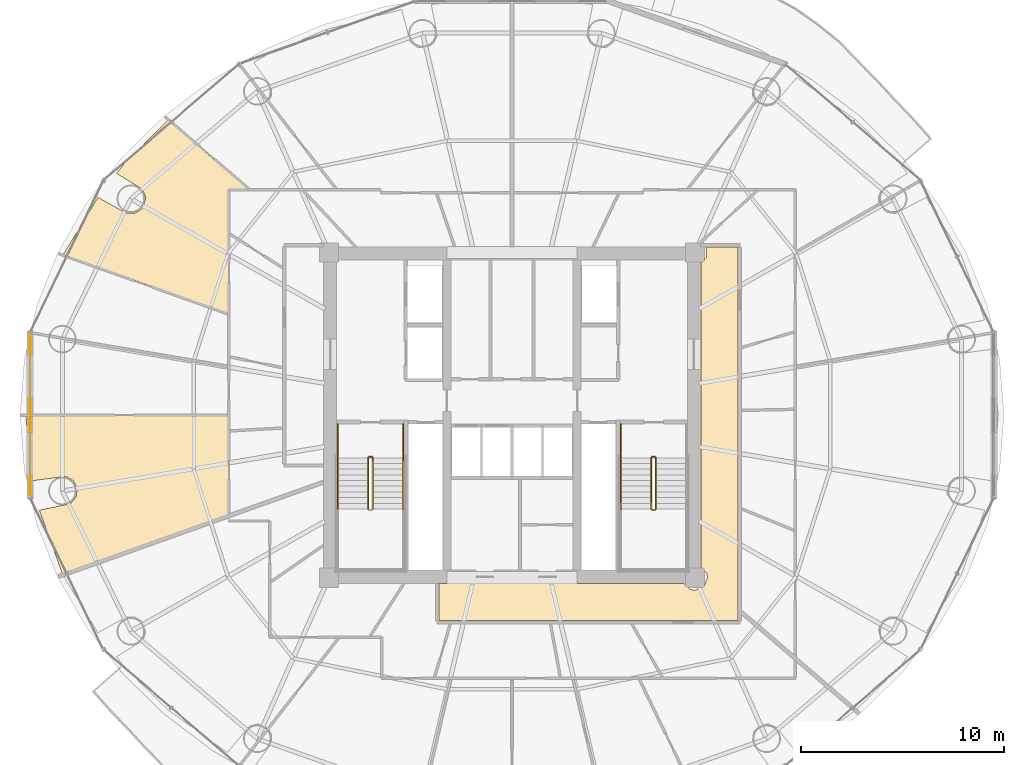
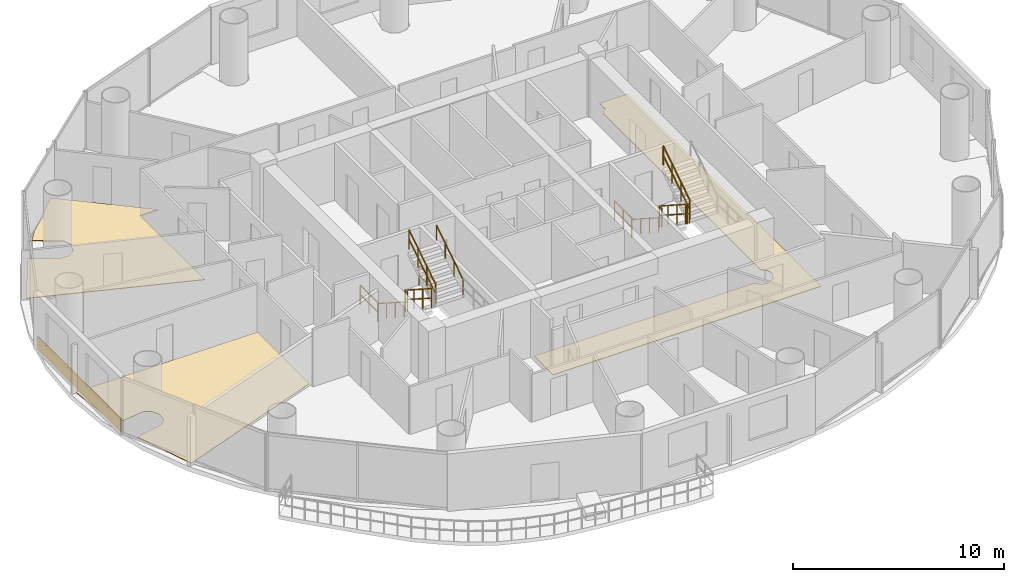
# One storey, part 26 of 27: 13 railings, 4 coverings.
"""IFC4 building model written with IfcOpenShell, lengths in metres."""

import ifcopenshell
import ifcopenshell.guid

model = None  # the IFC model being written
_history = None  # IfcOwnerHistory: only IFC2X3 demands one
_inside = {}  # id of a spatial element -> (the spatial element, [elements in it])
_under = {}  # id of a project, library or spatial element -> (it, [spatial elements below it])
_declared = {}  # id of a project -> (the project, [libraries it declares])
_typed = {}  # id of a type object -> (the type object, [elements of that type])
_made_of = {}  # id of a material, layer set ... -> (it, [elements and type objects made of it])


def new_model(schema):
    """Start an empty IFC model of exactly this schema.

    Asked for "IFC4X3", IfcOpenShell would pick the latest addendum, in which some entities
    have other attributes; the version numbers below select the first issue.
    IFC2X3 requires an IfcOwnerHistory on every rooted entity: one is made here for all.
    """
    global model, _history
    if schema == "IFC4X3":
        model = ifcopenshell.file(schema_version=(4, 3, 0, 0))
    else:
        model = ifcopenshell.file(schema=schema)
    _inside.clear()
    _under.clear()
    _declared.clear()
    _typed.clear()
    _made_of.clear()
    _history = None
    if model.schema == "IFC2X3":
        org = make("IfcOrganization", Name="unknown")
        user = make(
            "IfcPersonAndOrganization",
            ThePerson=make("IfcPerson", FamilyName="unknown"),
            TheOrganization=org,
        )
        app = make(
            "IfcApplication",
            ApplicationDeveloper=org,
            Version="unknown",
            ApplicationFullName="unknown",
            ApplicationIdentifier="unknown",
        )
        _history = make(
            "IfcOwnerHistory",
            OwningUser=user,
            OwningApplication=app,
            ChangeAction="ADDED",
            CreationDate=0,
        )
    return model


def make(cls, **values):
    """One entity of the class cls with the attributes given. An attribute that is None is left unset."""
    return model.create_entity(
        cls, **{name: value for name, value in values.items() if value is not None}
    )


def rooted(cls, **values):
    """An entity with a GlobalId (a new one), such as an element, a storey or a relation."""
    return make(cls, GlobalId=ifcopenshell.guid.new(), OwnerHistory=_history, **values)


def si_unit(unit_type, name, prefix=None):
    """IfcSIUnit, for example si_unit("LENGTHUNIT", "METRE", prefix="MILLI")."""
    return make("IfcSIUnit", UnitType=unit_type, Prefix=prefix, Name=name)


def assignment(units):
    """IfcUnitAssignment: the units of a project."""
    return None if units is None else make("IfcUnitAssignment", Units=units)


def point(xyz):
    """IfcCartesianPoint."""
    return None if xyz is None else make("IfcCartesianPoint", Coordinates=xyz)


def direction(xyz):
    """IfcDirection."""
    return None if xyz is None else make("IfcDirection", DirectionRatios=xyz)


def frame(location, z_axis=None, x_axis=None):
    """IfcAxis2Placement3D, a coordinate frame: its origin and axes. An axis left out is left unset."""
    return make(
        "IfcAxis2Placement3D",
        Location=point(location),
        Axis=direction(z_axis),
        RefDirection=direction(x_axis),
    )


def frame_2d(location, x_axis=None):
    """IfcAxis2Placement2D, a coordinate frame in the plane: its origin and x axis."""
    return make(
        "IfcAxis2Placement2D", Location=point(location), RefDirection=direction(x_axis)
    )


def origin():
    """The frame at (0, 0, 0) with its axes left unset."""
    return frame((0.0, 0.0, 0.0))


def origin_2d():
    """The frame at (0, 0) in the plane with its x axis left unset."""
    return frame_2d((0.0, 0.0))


def place(relative_to, where):
    """IfcLocalPlacement: puts the frame where relative to a parent placement (None: the world)."""
    return make(
        "IfcLocalPlacement", PlacementRelTo=relative_to, RelativePlacement=where
    )


def context(
    kind, dimensions, precision=None, world=None, true_north=None, identifier=None
):
    """IfcGeometricRepresentationContext, for example the 3D "Model" context."""
    return make(
        "IfcGeometricRepresentationContext",
        ContextIdentifier=identifier,
        ContextType=kind,
        CoordinateSpaceDimension=dimensions,
        Precision=precision,
        WorldCoordinateSystem=world,
        TrueNorth=true_north,
    )


def subcontext(parent, identifier, kind, view, scale=None):
    """IfcGeometricRepresentationSubContext, for example "Body" below "Model"."""
    return make(
        "IfcGeometricRepresentationSubContext",
        ContextIdentifier=identifier,
        ContextType=kind,
        ParentContext=parent,
        TargetScale=scale,
        TargetView=view,
    )


def project(units=None, contexts=None):
    """IfcProject with its units and contexts."""
    return rooted(
        "IfcProject",
        Name="project",
        RepresentationContexts=contexts,
        UnitsInContext=assignment(units),
    )


def spatial(cls, under=None, at=None, **own):
    """A site, building, storey or space (cls), placed at a placement, below another one or the project."""
    s = rooted(cls, ObjectPlacement=at, **own)
    if under is not None:
        _under.setdefault(under.id(), (under, []))[1].append(s)
    return s


def polyline(points):
    """IfcPolyline through the points."""
    return make("IfcPolyline", Points=[point(p) for p in points])


def profile(cls, at=None, kind="AREA", **sizes):
    """A parametric profile (cls). Its sizes go by their IFC names, for example OverallWidth=200.0."""
    return make(cls, ProfileType=kind, Position=at, **sizes)


def rectangle(**sizes):
    """IfcRectangleProfileDef."""
    return profile("IfcRectangleProfileDef", **sizes)


def outline(outer, holes=None, kind="AREA"):
    """IfcArbitraryClosedProfileDef: a profile drawn as a closed curve; with holes, ...WithVoids."""
    if holes is None:
        return make("IfcArbitraryClosedProfileDef", ProfileType=kind, OuterCurve=outer)
    return make(
        "IfcArbitraryProfileDefWithVoids",
        ProfileType=kind,
        OuterCurve=outer,
        InnerCurves=holes,
    )


def extrude(swept, where, along, depth):
    """IfcExtrudedAreaSolid: the profile swept, set in the frame where, extruded along a direction by depth."""
    return make(
        "IfcExtrudedAreaSolid",
        SweptArea=swept,
        Position=where,
        ExtrudedDirection=direction(along),
        Depth=depth,
    )


def shape(context_of_items, identifier, shape_type, items):
    """IfcShapeRepresentation: the items that make up one representation, for example the "Body"."""
    return make(
        "IfcShapeRepresentation",
        ContextOfItems=context_of_items,
        RepresentationIdentifier=identifier,
        RepresentationType=shape_type,
        Items=items,
    )


def source(mapping_origin, context_of_items, identifier, shape_type, items):
    """IfcRepresentationMap: a shape defined once, which mapped items show again and again."""
    return make(
        "IfcRepresentationMap",
        MappingOrigin=mapping_origin,
        MappedRepresentation=shape(context_of_items, identifier, shape_type, items),
    )


def transform(
    local_origin,
    x_axis=None,
    y_axis=None,
    z_axis=None,
    scale=None,
    scale2=None,
    scale3=None,
    uniform=True,
):
    """IfcCartesianTransformationOperator3D, or its non-uniform kind. x_axis, y_axis, z_axis: its Axis1, 2, 3."""
    if uniform:
        return make(
            "IfcCartesianTransformationOperator3D",
            Axis1=direction(x_axis),
            Axis2=direction(y_axis),
            LocalOrigin=point(local_origin),
            Scale=scale,
            Axis3=direction(z_axis),
        )
    return make(
        "IfcCartesianTransformationOperator3DnonUniform",
        Axis1=direction(x_axis),
        Axis2=direction(y_axis),
        LocalOrigin=point(local_origin),
        Scale=scale,
        Axis3=direction(z_axis),
        Scale2=scale2,
        Scale3=scale3,
    )


def mapped(mapping_source, mapping_target):
    """IfcMappedItem: shows the shape of a source again, moved by a transform."""
    return make(
        "IfcMappedItem", MappingSource=mapping_source, MappingTarget=mapping_target
    )


def material(Name=None, Category=None):
    """IfcMaterial."""
    return make("IfcMaterial", Name=Name, Category=Category)


def layer(
    of_material, thickness, ventilated=None, Name=None, Category=None, Priority=None
):
    """IfcMaterialLayer: one layer of a wall or slab, of a material (None: an air gap)."""
    return make(
        "IfcMaterialLayer",
        Material=of_material,
        LayerThickness=thickness,
        IsVentilated=ventilated,
        Name=Name,
        Category=Category,
        Priority=Priority,
    )


def layer_set(layers, Name=None):
    """IfcMaterialLayerSet."""
    return make("IfcMaterialLayerSet", MaterialLayers=layers, LayerSetName=Name)


def made_of(thing, what):
    """Note that an element or type object is made of a material, layer set ...; save() writes the relation."""
    if what is not None:
        _made_of.setdefault(what.id(), (what, []))[1].append(thing)
    return thing


def type_object(cls, material=None, **own):
    """A type object (cls), such as IfcWallType, which elements share."""
    return made_of(rooted(cls, **own), material)


def element(
    cls,
    number,
    at=None,
    inside=None,
    cuts=None,
    type_object=None,
    material=None,
    context=None,
    identifier="Body",
    shape_type=None,
    held_by="IfcProductDefinitionShape",
    body=None,
    shapes=None,
    **own,
):
    """One element of the class cls, such as IfcWall. Its Tag is "e" and its number.

    at: its placement. inside: the storey or other place that contains it. cuts: it is an
    opening in that element (IfcRelVoidsElement). A single representation is given by context,
    identifier, shape_type and body (its items); several are given by shapes. held_by: the class
    of the entity that holds the representations. save() writes the other relations.
    """
    e = rooted(cls, Tag="e%d" % number, ObjectPlacement=at, **own)
    if body is not None:
        shapes = [shape(context, identifier, shape_type, body)]
    if shapes is not None:
        e.Representation = make(held_by, Representations=shapes)
    if inside is not None:
        _inside.setdefault(inside.id(), (inside, []))[1].append(e)
    if cuts is not None:
        rooted(
            "IfcRelVoidsElement", RelatingBuildingElement=cuts, RelatedOpeningElement=e
        )
    if type_object is not None:
        _typed.setdefault(type_object.id(), (type_object, []))[1].append(e)
    return made_of(e, material)


def aggregate(whole, parts):
    """IfcRelAggregates: a whole, such as a stair, and the parts it consists of."""
    return rooted("IfcRelAggregates", RelatingObject=whole, RelatedObjects=parts)


def save(model, path):
    """Write the relations noted so far, then the file.

    IfcRelAggregates (storeys below a building ...), IfcRelContainedInSpatialStructure (elements
    in a storey), IfcRelDefinesByType, IfcRelAssociatesMaterial and IfcRelDeclares: one each for
    every whole, place, type object, material and project.
    """
    for whole, parts in _under.values():
        aggregate(whole, parts)
    for where, things in _inside.values():
        rooted(
            "IfcRelContainedInSpatialStructure",
            RelatedElements=things,
            RelatingStructure=where,
        )
    for kind, things in _typed.values():
        rooted("IfcRelDefinesByType", RelatedObjects=things, RelatingType=kind)
    for what, things in _made_of.values():
        rooted("IfcRelAssociatesMaterial", RelatedObjects=things, RelatingMaterial=what)
    for by, libraries in _declared.values():
        rooted("IfcRelDeclares", RelatingContext=by, RelatedDefinitions=libraries)
    model.write(path)


model = new_model("IFC4")

# Units and contexts
model_context = context("Model", 3, precision=1e-05, world=origin(), true_north=direction((-0.2419218956, 0.970295726276)))
body_context = subcontext(model_context, "Body", "Model", "MODEL_VIEW")
ifc_project = project(units=[si_unit("LENGTHUNIT", "METRE"), si_unit("AREAUNIT", "SQUARE_METRE"), si_unit("VOLUMEUNIT", "CUBIC_METRE"), si_unit("PLANEANGLEUNIT", "RADIAN"), si_unit("MASSUNIT", "GRAM", prefix="KILO")], contexts=[model_context])

# Site, building, storey
site_placement = place(None, origin())
site = spatial("IfcSite", under=ifc_project, at=site_placement, CompositionType="ELEMENT")
building_placement = place(site_placement, origin())
building = spatial("IfcBuilding", under=site, at=building_placement, Name="Cobrevalo Terracotta Tower", CompositionType="ELEMENT")
storey_placement = place(building_placement, frame((0.0, 0.0, 149.800048828125)))
storey = spatial("IfcBuildingStorey", under=building, at=storey_placement, Name="L39", CompositionType="ELEMENT", Elevation=149.800048828125)

# Coverings
ifc_material_1 = material(Name="Engineered Brazilian hardwood flooring", Category="wood")
ifc_layer_1 = layer(ifc_material_1, 0.028076171875)
ifc_layer_set_1 = layer_set([ifc_layer_1], Name="Engineered Brazilian hardwood flooring")
covering_type_1 = type_object("IfcCoveringType", Name="Engineered Hardwood Suite Flooring 28", PredefinedType="FLOORING", material=ifc_layer_set_1)
covering_1_placement = place(storey_placement, origin())
element("IfcCovering", 1, at=covering_1_placement, inside=storey, type_object=covering_type_1, Name="Flat L39A Principal Guest Bedroom floor finish", PredefinedType="FLOORING", context=body_context, shape_type="SweptSolid", body=[
    extrude(outline(polyline([(17.632568359375, 37.50634765625), (19.017822265625, 36.736572265625), (19.447265625, 36.725830078125), (19.810302734375, 36.955322265625), (19.988525390625, 37.4931640625), (19.834228515625, 37.89404296875), (18.551513671875, 38.6865234375), (19.02197265625, 39.29052734375), (21.0888671875, 41.308837890625), (25.049072265625, 37.905029296875), (24.044921875, 37.905029296875), (24.044921875, 31.78955078125), (15.918212890625, 34.6826171875), (17.632568359375, 37.50634765625)])), origin(), (0.0, 0.0, 1.0), 0.030029296875),
])
covering_2_placement = place(storey_placement, origin())
element("IfcCovering", 2, at=covering_2_placement, inside=storey, type_object=covering_type_1, Name="Flat L39A Penthouse Family Lounge floor finish", PredefinedType="FLOORING", context=body_context, shape_type="SweptSolid", body=[
    extrude(outline(polyline([(14.08154296875, 26.780029296875), (24.044921875, 26.780029296875), (24.044921875, 21.85302734375), (15.898681640625, 18.95263671875), (14.748291015625, 22.121826171875), (16.2763671875, 22.43701171875), (16.55859375, 22.760986328125), (16.613037109375, 23.187255859375), (16.421630859375, 23.572021484375), (16.048583984375, 23.785400390625), (14.41357421875, 23.566162109375), (14.08154296875, 26.780029296875)])), origin(), (0.0, 0.0, 1.0), 0.030029296875),
])
ifc_material_2 = material(Name="Honed terracotta and granite tile", Category="masonry")
ifc_layer_2 = layer(ifc_material_2, 0.034912109375)
ifc_layer_set_2 = layer_set([ifc_layer_2], Name="Honed terracotta and granite tile")
covering_type_2 = type_object("IfcCoveringType", Name="Honed Terracotta & Granite Interior Flooring 35", PredefinedType="FLOORING", material=ifc_layer_set_2)
covering_3_placement = place(storey_placement, origin())
element("IfcCovering", 3, at=covering_3_placement, inside=storey, type_object=covering_type_2, Name="L39 Residential Floor Corridor 1 floor finish", PredefinedType="FLOORING", context=body_context, shape_type="SweptSolid", body=[
    extrude(outline(polyline([(34.419921875, 18.5048828125), (46.46533203125, 18.5048828125), (46.7626953125, 18.226806640625), (47.0, 18.1796875), (47.438720703125, 18.361328125), (47.620361328125, 18.800048828125), (47.5732421875, 19.037353515625), (47.294921875, 19.334716796875), (47.294921875, 34.265380859375), (47.5732421875, 34.5625), (47.5615234375, 35.054931640625), (49.10498046875, 35.054931640625), (49.10498046875, 16.695068359375), (34.419921875, 16.695068359375), (34.419921875, 18.5048828125)])), origin(), (0.0, 0.0, 1.0), 0.030029296875),
])

# Railings
ifc_material_3 = material(Name="Brushed stainless steel", Category="steel")
railing_type_1 = type_object("IfcRailingType", Name="Stainless Steel Stair Handrail 900", PredefinedType="HANDRAIL", material=ifc_material_3)
railing_1_placement = place(storey_placement, frame((29.425048828125, 24.699951171875, 0.179931640625)))
element("IfcRailing", 4, at=railing_1_placement, inside=storey, type_object=railing_type_1, Name="L39 ST-1 stair handrail 1", PredefinedType="HANDRAIL", context=body_context, shape_type="SweptSolid", body=[
    extrude(rectangle(XDim=0.048095703125, YDim=0.048095703125, at=origin_2d()), frame((0.0, 0.0, 0.8759765625), z_axis=(0.0, -0.841162588446, 0.540782303519), x_axis=(1.0, 0.0, 0.0)), (0.0, 0.0, 1.0), 2.995849609375),
    extrude(rectangle(XDim=0.0419921875, YDim=0.0419921875, at=origin_2d()), origin(), (0.0, 0.0, 1.0), 0.851806640625),
    extrude(rectangle(XDim=0.0419921875, YDim=0.0419921875, at=origin_2d()), frame((0.0, -0.840087890625, 0.5400390625)), (0.0, 0.0, 1.0), 0.851806640625),
    extrude(rectangle(XDim=0.0419921875, YDim=0.0419921875, at=origin_2d()), frame((0.0, -1.679931640625, 1.080078125)), (0.0, 0.0, 1.0), 0.851806640625),
    extrude(rectangle(XDim=0.0419921875, YDim=0.0419921875, at=origin_2d()), frame((0.0, -2.52001953125, 1.6201171875)), (0.0, 0.0, 1.0), 0.851806640625),
])
railing_2_placement = place(storey_placement, frame((32.64501953125, 22.179931640625, 1.97998046875)))
element("IfcRailing", 5, at=railing_2_placement, inside=storey, type_object=railing_type_1, Name="L39 ST-1 stair handrail 2", PredefinedType="HANDRAIL", context=body_context, shape_type="SweptSolid", body=[
    extrude(rectangle(XDim=0.048095703125, YDim=0.048095703125, at=origin_2d()), frame((0.0, 0.0, 0.8759765625), z_axis=(0.0, 0.841199657755, 0.540724639528), x_axis=(-1.0, 0.0, 0.0)), (0.0, 0.0, 1.0), 2.995849609375),
    extrude(rectangle(XDim=0.0419921875, YDim=0.0419921875, at=origin_2d()), origin(), (0.0, 0.0, 1.0), 0.851806640625),
    extrude(rectangle(XDim=0.0419921875, YDim=0.0419921875, at=origin_2d()), frame((0.0, 0.840087890625, 0.5400390625)), (0.0, 0.0, 1.0), 0.851806640625),
    extrude(rectangle(XDim=0.0419921875, YDim=0.0419921875, at=origin_2d()), frame((0.0, 1.679931640625, 1.079833984375)), (0.0, 0.0, 1.0), 0.851806640625),
    extrude(rectangle(XDim=0.0419921875, YDim=0.0419921875, at=origin_2d()), frame((0.0, 2.52001953125, 1.619873046875)), (0.0, 0.0, 1.0), 0.851806640625),
])
railing_3_placement = place(storey_placement, frame((43.35498046875, 24.699951171875, 0.179931640625)))
element("IfcRailing", 6, at=railing_3_placement, inside=storey, type_object=railing_type_1, Name="L39 ST-2 stair handrail 1", PredefinedType="HANDRAIL", context=body_context, shape_type="SweptSolid", body=[
    extrude(rectangle(XDim=0.048095703125, YDim=0.048095703125, at=origin_2d()), frame((0.0, 0.0, 0.8759765625), z_axis=(0.0, -0.841162588446, 0.540782303519), x_axis=(1.0, 0.0, 0.0)), (0.0, 0.0, 1.0), 2.995849609375),
    extrude(rectangle(XDim=0.0419921875, YDim=0.0419921875, at=origin_2d()), origin(), (0.0, 0.0, 1.0), 0.851806640625),
    extrude(rectangle(XDim=0.0419921875, YDim=0.0419921875, at=origin_2d()), frame((0.0, -0.840087890625, 0.5400390625)), (0.0, 0.0, 1.0), 0.851806640625),
    extrude(rectangle(XDim=0.0419921875, YDim=0.0419921875, at=origin_2d()), frame((0.0, -1.679931640625, 1.080078125)), (0.0, 0.0, 1.0), 0.851806640625),
    extrude(rectangle(XDim=0.0419921875, YDim=0.0419921875, at=origin_2d()), frame((0.0, -2.52001953125, 1.6201171875)), (0.0, 0.0, 1.0), 0.851806640625),
])
ifc_material_4 = material(Name="Painted galvanized steel", Category="steel")
railing_type_2 = type_object("IfcRailingType", Name="Stair Well Guard Balustrade 1150", PredefinedType="GUARDRAIL", material=ifc_material_4)
railing_4_placement = place(storey_placement, frame((30.925048828125, 24.699951171875, 0.179931640625)))
element("IfcRailing", 7, at=railing_4_placement, inside=storey, type_object=railing_type_2, Name="L39 ST-1 stair guard 1", PredefinedType="GUARDRAIL", context=body_context, shape_type="SweptSolid", body=[
    extrude(rectangle(XDim=0.048095703125, YDim=0.048095703125, at=origin_2d()), frame((0.0, 0.0, 1.1259765625), z_axis=(0.0, -0.841162588446, 0.540782303519), x_axis=(1.0, 0.0, 0.0)), (0.0, 0.0, 1.0), 2.995849609375),
    extrude(rectangle(XDim=0.048095703125, YDim=0.048095703125, at=origin_2d()), frame((0.0, 0.0, 0.574951171875), z_axis=(0.0, -0.841162588446, 0.540782303519), x_axis=(1.0, 0.0, 0.0)), (0.0, 0.0, 1.0), 2.995849609375),
    extrude(rectangle(XDim=0.0419921875, YDim=0.0419921875, at=origin_2d()), origin(), (0.0, 0.0, 1.0), 1.101806640625),
    extrude(rectangle(XDim=0.0419921875, YDim=0.0419921875, at=origin_2d()), frame((0.0, -0.840087890625, 0.5400390625)), (0.0, 0.0, 1.0), 1.101806640625),
    extrude(rectangle(XDim=0.0419921875, YDim=0.0419921875, at=origin_2d()), frame((0.0, -1.679931640625, 1.080078125)), (0.0, 0.0, 1.0), 1.101806640625),
    extrude(rectangle(XDim=0.0419921875, YDim=0.0419921875, at=origin_2d()), frame((0.0, -2.52001953125, 1.6201171875)), (0.0, 0.0, 1.0), 1.101806640625),
])
railing_5_placement = place(storey_placement, frame((31.14501953125, 22.179931640625, 1.97998046875)))
element("IfcRailing", 8, at=railing_5_placement, inside=storey, type_object=railing_type_2, Name="L39 ST-1 stair guard 6", PredefinedType="GUARDRAIL", context=body_context, shape_type="SweptSolid", body=[
    extrude(rectangle(XDim=0.048095703125, YDim=0.048095703125, at=origin_2d()), frame((0.0, 0.0, 1.1259765625), z_axis=(0.0, 0.841199657755, 0.540724639528), x_axis=(-1.0, 0.0, 0.0)), (0.0, 0.0, 1.0), 2.995849609375),
    extrude(rectangle(XDim=0.048095703125, YDim=0.048095703125, at=origin_2d()), frame((0.0, 0.0, 0.574951171875), z_axis=(0.0, 0.841199657755, 0.540724639528), x_axis=(-1.0, 0.0, 0.0)), (0.0, 0.0, 1.0), 2.995849609375),
    extrude(rectangle(XDim=0.0419921875, YDim=0.0419921875, at=origin_2d()), origin(), (0.0, 0.0, 1.0), 1.101806640625),
    extrude(rectangle(XDim=0.0419921875, YDim=0.0419921875, at=origin_2d()), frame((0.0, 0.840087890625, 0.5400390625)), (0.0, 0.0, 1.0), 1.101806640625),
    extrude(rectangle(XDim=0.0419921875, YDim=0.0419921875, at=origin_2d()), frame((0.0, 1.679931640625, 1.079833984375)), (0.0, 0.0, 1.0), 1.101806640625),
    extrude(rectangle(XDim=0.0419921875, YDim=0.0419921875, at=origin_2d()), frame((0.0, 2.52001953125, 1.619873046875)), (0.0, 0.0, 1.0), 1.101806640625),
])
railing_6_placement = place(storey_placement, frame((30.97509765625, 24.75, 0.0)))
element("IfcRailing", 9, at=railing_6_placement, inside=storey, type_object=railing_type_2, Name="L39 ST-1 stair guard 7", PredefinedType="GUARDRAIL", context=body_context, shape_type="SweptSolid", body=[
    extrude(rectangle(XDim=0.048095703125, YDim=0.048095703125, at=origin_2d()), frame((0.0, 0.0, 1.1259765625), z_axis=(1.0, 0.0, 0.0), x_axis=(0.0, 1.0, 0.0)), (0.0, 0.0, 1.0), 0.119873046875),
    extrude(rectangle(XDim=0.048095703125, YDim=0.048095703125, at=origin_2d()), frame((0.0, 0.0, 0.574951171875), z_axis=(1.0, 0.0, 0.0), x_axis=(0.0, 1.0, 0.0)), (0.0, 0.0, 1.0), 0.119873046875),
    extrude(rectangle(XDim=0.0419921875, YDim=0.0419921875, at=origin_2d()), origin(), (0.0, 0.0, 1.0), 1.101806640625),
    extrude(rectangle(XDim=0.0419921875, YDim=0.0419921875, at=origin_2d()), frame((0.119873046875, 0.0, 0.0)), (0.0, 0.0, 1.0), 1.101806640625),
])
for number, where, name in (
    (10, (29.425048828125, 26.35009765625, 0.0), "L39 ST-1 stair guard 8"),
    (11, (32.64501953125, 26.35009765625, 0.0), "L39 ST-1 stair guard 9"),
):
    element("IfcRailing", number, at=place(storey_placement, frame(where)), inside=storey, type_object=railing_type_2, Name=name, PredefinedType="GUARDRAIL", context=body_context, shape_type="SweptSolid", body=[
        extrude(rectangle(XDim=0.048095703125, YDim=0.048095703125, at=origin_2d()), frame((0.0, 0.0, 1.1259765625), z_axis=(0.0, -1.0, 0.0), x_axis=(1.0, 0.0, 0.0)), (0.0, 0.0, 1.0), 1.650146484375),
        extrude(rectangle(XDim=0.048095703125, YDim=0.048095703125, at=origin_2d()), frame((0.0, 0.0, 0.574951171875), z_axis=(0.0, -1.0, 0.0), x_axis=(1.0, 0.0, 0.0)), (0.0, 0.0, 1.0), 1.650146484375),
        extrude(rectangle(XDim=0.0419921875, YDim=0.0419921875, at=origin_2d()), origin(), (0.0, 0.0, 1.0), 1.101806640625),
        extrude(rectangle(XDim=0.0419921875, YDim=0.0419921875, at=origin_2d()), frame((0.0, -0.8251953125, 0.0)), (0.0, 0.0, 1.0), 1.101806640625),
        extrude(rectangle(XDim=0.0419921875, YDim=0.0419921875, at=origin_2d()), frame((0.0, -1.650146484375, 0.0)), (0.0, 0.0, 1.0), 1.101806640625),
    ])
railing_7_placement = place(storey_placement, frame((44.85498046875, 24.699951171875, 0.179931640625)))
element("IfcRailing", 12, at=railing_7_placement, inside=storey, type_object=railing_type_2, Name="L39 ST-2 stair guard 1", PredefinedType="GUARDRAIL", context=body_context, shape_type="SweptSolid", body=[
    extrude(rectangle(XDim=0.048095703125, YDim=0.048095703125, at=origin_2d()), frame((0.0, 0.0, 1.1259765625), z_axis=(0.0, -0.841162588446, 0.540782303519), x_axis=(1.0, 0.0, 0.0)), (0.0, 0.0, 1.0), 2.995849609375),
    extrude(rectangle(XDim=0.048095703125, YDim=0.048095703125, at=origin_2d()), frame((0.0, 0.0, 0.574951171875), z_axis=(0.0, -0.841162588446, 0.540782303519), x_axis=(1.0, 0.0, 0.0)), (0.0, 0.0, 1.0), 2.995849609375),
    extrude(rectangle(XDim=0.0419921875, YDim=0.0419921875, at=origin_2d()), origin(), (0.0, 0.0, 1.0), 1.101806640625),
    extrude(rectangle(XDim=0.0419921875, YDim=0.0419921875, at=origin_2d()), frame((0.0, -0.840087890625, 0.5400390625)), (0.0, 0.0, 1.0), 1.101806640625),
    extrude(rectangle(XDim=0.0419921875, YDim=0.0419921875, at=origin_2d()), frame((0.0, -1.679931640625, 1.080078125)), (0.0, 0.0, 1.0), 1.101806640625),
    extrude(rectangle(XDim=0.0419921875, YDim=0.0419921875, at=origin_2d()), frame((0.0, -2.52001953125, 1.6201171875)), (0.0, 0.0, 1.0), 1.101806640625),
])
railing_8_placement = place(storey_placement, frame((44.905029296875, 22.1298828125, 1.800048828125)))
element("IfcRailing", 13, at=railing_8_placement, inside=storey, type_object=railing_type_2, Name="L39 ST-2 stair guard 2", PredefinedType="GUARDRAIL", context=body_context, shape_type="SweptSolid", body=[
    extrude(rectangle(XDim=0.048095703125, YDim=0.048095703125, at=origin_2d()), frame((0.0, 0.0, 1.1259765625), z_axis=(1.0, 0.0, 0.0), x_axis=(0.0, 1.0, 0.0)), (0.0, 0.0, 1.0), 0.119873046875),
    extrude(rectangle(XDim=0.048095703125, YDim=0.048095703125, at=origin_2d()), frame((0.0, 0.0, 0.574951171875), z_axis=(1.0, 0.0, 0.0), x_axis=(0.0, 1.0, 0.0)), (0.0, 0.0, 1.0), 0.119873046875),
    extrude(rectangle(XDim=0.0419921875, YDim=0.0419921875, at=origin_2d()), origin(), (0.0, 0.0, 1.0), 1.101806640625),
    extrude(rectangle(XDim=0.0419921875, YDim=0.0419921875, at=origin_2d()), frame((0.119873046875, 0.0, 0.0)), (0.0, 0.0, 1.0), 1.101806640625),
])
railing_9_placement = place(storey_placement, frame((45.074951171875, 22.179931640625, 1.97998046875)))
element("IfcRailing", 14, at=railing_9_placement, inside=storey, type_object=railing_type_2, Name="L39 ST-2 stair guard 6", PredefinedType="GUARDRAIL", context=body_context, shape_type="SweptSolid", body=[
    extrude(rectangle(XDim=0.048095703125, YDim=0.048095703125, at=origin_2d()), frame((0.0, 0.0, 1.1259765625), z_axis=(0.0, 0.841199657755, 0.540724639528), x_axis=(-1.0, 0.0, 0.0)), (0.0, 0.0, 1.0), 2.995849609375),
    extrude(rectangle(XDim=0.048095703125, YDim=0.048095703125, at=origin_2d()), frame((0.0, 0.0, 0.574951171875), z_axis=(0.0, 0.841199657755, 0.540724639528), x_axis=(-1.0, 0.0, 0.0)), (0.0, 0.0, 1.0), 2.995849609375),
    extrude(rectangle(XDim=0.0419921875, YDim=0.0419921875, at=origin_2d()), origin(), (0.0, 0.0, 1.0), 1.101806640625),
    extrude(rectangle(XDim=0.0419921875, YDim=0.0419921875, at=origin_2d()), frame((0.0, 0.840087890625, 0.5400390625)), (0.0, 0.0, 1.0), 1.101806640625),
    extrude(rectangle(XDim=0.0419921875, YDim=0.0419921875, at=origin_2d()), frame((0.0, 1.679931640625, 1.079833984375)), (0.0, 0.0, 1.0), 1.101806640625),
    extrude(rectangle(XDim=0.0419921875, YDim=0.0419921875, at=origin_2d()), frame((0.0, 2.52001953125, 1.619873046875)), (0.0, 0.0, 1.0), 1.101806640625),
])
railing_10_placement = place(storey_placement, frame((44.905029296875, 24.75, 0.0)))
element("IfcRailing", 15, at=railing_10_placement, inside=storey, type_object=railing_type_2, Name="L39 ST-2 stair guard 7", PredefinedType="GUARDRAIL", context=body_context, shape_type="SweptSolid", body=[
    extrude(rectangle(XDim=0.048095703125, YDim=0.048095703125, at=origin_2d()), frame((0.0, 0.0, 1.1259765625), z_axis=(1.0, 0.0, 0.0), x_axis=(0.0, 1.0, 0.0)), (0.0, 0.0, 1.0), 0.119873046875),
    extrude(rectangle(XDim=0.048095703125, YDim=0.048095703125, at=origin_2d()), frame((0.0, 0.0, 0.574951171875), z_axis=(1.0, 0.0, 0.0), x_axis=(0.0, 1.0, 0.0)), (0.0, 0.0, 1.0), 0.119873046875),
    extrude(rectangle(XDim=0.0419921875, YDim=0.0419921875, at=origin_2d()), origin(), (0.0, 0.0, 1.0), 1.101806640625),
    extrude(rectangle(XDim=0.0419921875, YDim=0.0419921875, at=origin_2d()), frame((0.119873046875, 0.0, 0.0)), (0.0, 0.0, 1.0), 1.101806640625),
])
railing_11_placement = place(storey_placement, frame((43.35498046875, 26.35009765625, 0.0)))
element("IfcRailing", 16, at=railing_11_placement, inside=storey, type_object=railing_type_2, Name="L39 ST-2 stair guard 8", PredefinedType="GUARDRAIL", context=body_context, shape_type="SweptSolid", body=[
    extrude(rectangle(XDim=0.048095703125, YDim=0.048095703125, at=origin_2d()), frame((0.0, 0.0, 1.1259765625), z_axis=(0.0, -1.0, 0.0), x_axis=(1.0, 0.0, 0.0)), (0.0, 0.0, 1.0), 1.650146484375),
    extrude(rectangle(XDim=0.048095703125, YDim=0.048095703125, at=origin_2d()), frame((0.0, 0.0, 0.574951171875), z_axis=(0.0, -1.0, 0.0), x_axis=(1.0, 0.0, 0.0)), (0.0, 0.0, 1.0), 1.650146484375),
    extrude(rectangle(XDim=0.0419921875, YDim=0.0419921875, at=origin_2d()), origin(), (0.0, 0.0, 1.0), 1.101806640625),
    extrude(rectangle(XDim=0.0419921875, YDim=0.0419921875, at=origin_2d()), frame((0.0, -0.8251953125, 0.0)), (0.0, 0.0, 1.0), 1.101806640625),
    extrude(rectangle(XDim=0.0419921875, YDim=0.0419921875, at=origin_2d()), frame((0.0, -1.650146484375, 0.0)), (0.0, 0.0, 1.0), 1.101806640625),
])

# Covering
ifc_material_5 = material(Name="Glazed terracotta facade cladding tile", Category="masonry")
ifc_layer_3 = layer(ifc_material_5, 0.044921875)
ifc_layer_set_3 = layer_set([ifc_layer_3], Name="Glazed terracotta facade cladding tile")
covering_type_3 = type_object("IfcCoveringType", Name="Architectural terracotta rainscreen spandrel cladding 45 mm", PredefinedType="CLADDING", material=ifc_layer_set_3)
shared_shape = source(origin(), body_context, "Body", "SweptSolid", [
    extrude(rectangle(XDim=7.904052734375, YDim=0.044921875, at=origin_2d()), origin(), (0.0, 0.0, 1.0), 0.760009765625),
])
covering_4_placement = place(storey_placement, frame((14.29443359375, 26.800048828125, 0.0400390625), z_axis=(0.0, 0.0, 1.0), x_axis=(0.0, -1.0, 0.0)))
element("IfcCovering", 17, at=covering_4_placement, inside=storey, type_object=covering_type_3, Name="L39 terracotta spandrel cladding S08", PredefinedType="CLADDING", context=body_context, shape_type="MappedRepresentation", body=[
    mapped(shared_shape, transform((0.0, 0.0, 0.0), scale=1.0)),
])

save(model, "model.ifc")
